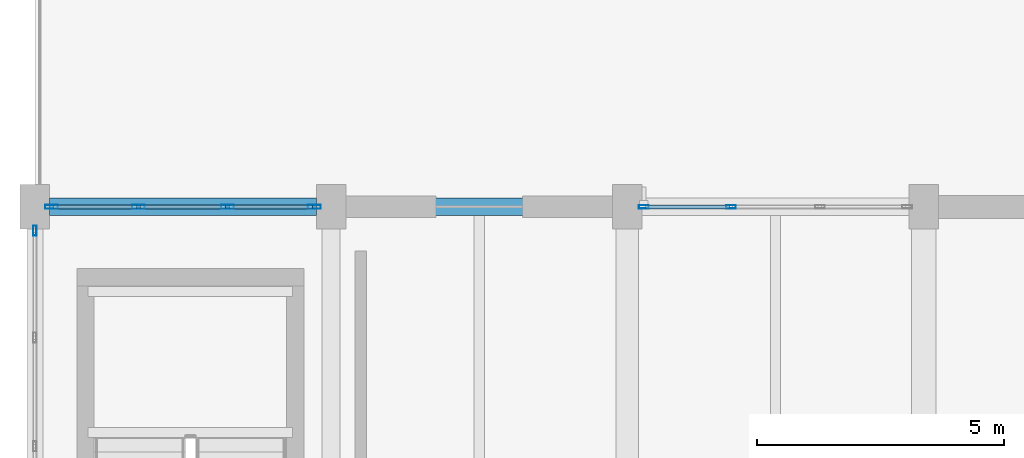
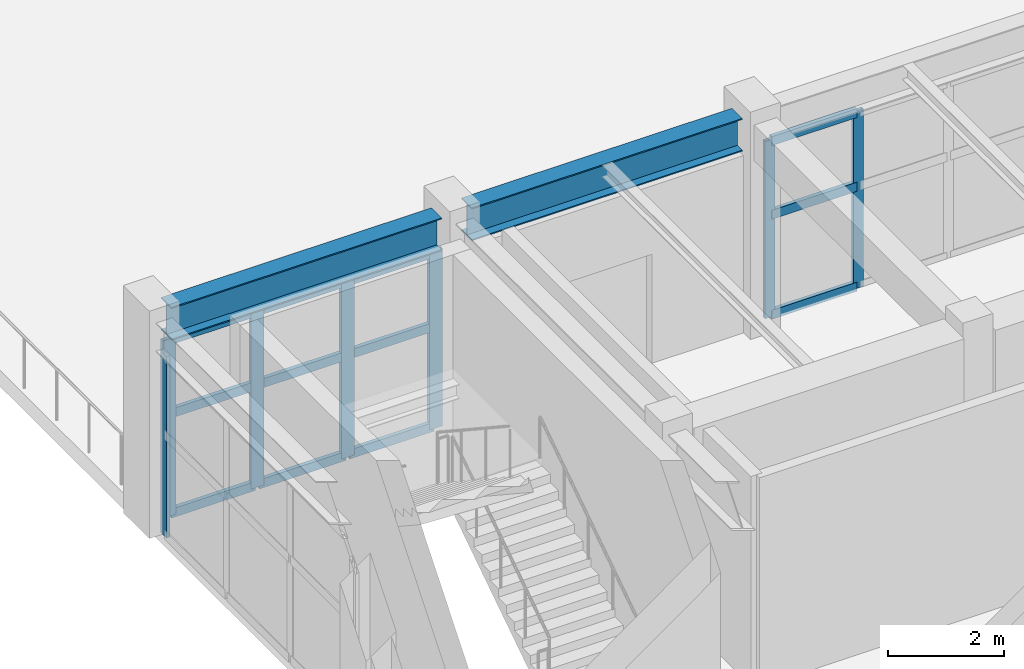
# One storey, part 35 of 80: 19 members, 2 beams, 3 elements without a shape of their own.
"""IFC4 building model written with IfcOpenShell, lengths in metres."""

from ifc_helpers import new_model, si_unit, direction, frame, origin, origin_2d, place, context, subcontext, project, spatial, hollow_rectangle, i_section, extrude, material, layer, layer_set, material_profile, profile_set, type_object, element, aggregate, save


model = new_model("IFC4")

# Units and contexts
model_context = context("Model", 3, precision=1e-05, world=origin(), true_north=direction((0.0, 1.0)))
body_context = subcontext(model_context, "Body", "Model", "MODEL_VIEW")
ifc_project = project(units=[si_unit("LENGTHUNIT", "METRE"), si_unit("AREAUNIT", "SQUARE_METRE"), si_unit("VOLUMEUNIT", "CUBIC_METRE"), si_unit("PLANEANGLEUNIT", "RADIAN"), si_unit("MASSUNIT", "GRAM", prefix="KILO")], contexts=[model_context])

# Site, building, storey
site_placement = place(None, origin())
site = spatial("IfcSite", under=ifc_project, at=site_placement, CompositionType="ELEMENT")
building_placement = place(site_placement, origin())
building = spatial("IfcBuilding", under=site, at=building_placement, Name="Vaelkrest Opera House", CompositionType="ELEMENT")
storey_placement = place(building_placement, frame((0.0, 0.0, 15.0)))
storey = spatial("IfcBuildingStorey", under=building, at=storey_placement, Name="L03", CompositionType="ELEMENT", Elevation=15.0)

# Curtain wall, member
ifc_material_1 = material(Name="Dark bronze anodized aluminium", Category="aluminium")
ifc_layer_1 = layer(ifc_material_1, 0.22998046875)
ifc_layer_set_1 = layer_set([ifc_layer_1], Name="Dark bronze anodized aluminium")
curtain_wall_type_1 = type_object("IfcCurtainWallType", Name="CW06", PredefinedType="NOTDEFINED", material=ifc_layer_set_1)
curtain_wall_1_placement = place(storey_placement, origin())
curtain_wall_1 = element("IfcCurtainWall", 1, at=curtain_wall_1_placement, inside=storey, type_object=curtain_wall_type_1, Name="Curtain wall CW-L03-130", PredefinedType="NOTDEFINED")
ifc_material_profile_1 = material_profile(ifc_material_1, hollow_rectangle(XDim=0.070068359375, YDim=0.199951171875, WallThickness=0.004150390625, at=origin_2d()), Name="CWM70X200")
ifc_profile_set_1 = profile_set([ifc_material_profile_1], Name="Dark bronze anodized aluminium")
member_type_1 = type_object("IfcMemberType", Name="CWM02", PredefinedType="MULLION", material=ifc_profile_set_1)
member_1_placement = place(storey_placement, frame((-75.60009765625, 17.217041015625, 0.0), z_axis=(0.0, 0.0, 1.0), x_axis=(-1.0, 0.0, 0.0)))
member_1 = element("IfcMember", 2, at=member_1_placement, type_object=member_type_1, Name="CW06 mullion 4", PredefinedType="MULLION", context=body_context, shape_type="SweptSolid", body=[
    extrude(hollow_rectangle(XDim=0.070068359375, YDim=0.199951171875, WallThickness=0.004150390625, at=origin_2d()), origin(), (0.0, 0.0, 1.0), 3.8291015625),
])
aggregate(curtain_wall_1, [member_1])

# Curtain wall, members
curtain_wall_2_placement = place(storey_placement, origin())
curtain_wall_2 = element("IfcCurtainWall", 3, at=curtain_wall_2_placement, inside=storey, type_object=curtain_wall_type_1, Name="Curtain wall CW-L03-132", PredefinedType="NOTDEFINED")
member_2_placement = place(storey_placement, frame((-63.26708984375, 17.699951171875, 0.0), z_axis=(0.0, 0.0, 1.0), x_axis=(0.0, 1.0, 0.0)))
member_2 = element("IfcMember", 4, at=member_2_placement, type_object=member_type_1, Name="CW06 mullion 1", PredefinedType="MULLION", context=body_context, shape_type="SweptSolid", body=[
    extrude(hollow_rectangle(XDim=0.070068359375, YDim=0.199951171875, WallThickness=0.004150390625, at=origin_2d()), origin(), (0.0, 0.0, 1.0), 3.7451171875),
])
member_3_placement = place(storey_placement, frame((-61.500732421875, 17.699951171875, 0.0), z_axis=(0.0, 0.0, 1.0), x_axis=(0.0, 1.0, 0.0)))
member_3 = element("IfcMember", 5, at=member_3_placement, type_object=member_type_1, Name="CW06 mullion 2", PredefinedType="MULLION", context=body_context, shape_type="SweptSolid", body=[
    extrude(hollow_rectangle(XDim=0.070068359375, YDim=0.199951171875, WallThickness=0.004150390625, at=origin_2d()), origin(), (0.0, 0.0, 1.0), 3.7451171875),
])

ifc_layer_2 = layer(ifc_material_1, 0.2099609375)
ifc_layer_set_2 = layer_set([ifc_layer_2], Name="Dark bronze anodized aluminium")
curtain_wall_type_2 = type_object("IfcCurtainWallType", Name="CW04", PredefinedType="NOTDEFINED", material=ifc_layer_set_2)
curtain_wall_3_placement = place(storey_placement, origin())
curtain_wall_3 = element("IfcCurtainWall", 6, at=curtain_wall_3_placement, inside=storey, type_object=curtain_wall_type_2, Name="Curtain wall CW-L03-131", PredefinedType="NOTDEFINED")
ifc_material_profile_2 = material_profile(ifc_material_1, hollow_rectangle(XDim=0.080078125, YDim=0.260009765625, WallThickness=0.0048828125, at=origin_2d()), Name="CWM80X260")
ifc_profile_set_2 = profile_set([ifc_material_profile_2], Name="Dark bronze anodized aluminium")
member_type_2 = type_object("IfcMemberType", Name="CWM04", PredefinedType="MULLION", material=ifc_profile_set_2)
member_4_placement = place(storey_placement, frame((-75.261962890625, 17.699951171875, 0.0), z_axis=(0.0, 0.0, 1.0), x_axis=(0.0, 1.0, 0.0)))
member_4 = element("IfcMember", 7, at=member_4_placement, type_object=member_type_2, Name="CW04 mullion 1", PredefinedType="MULLION", context=body_context, shape_type="SweptSolid", body=[
    extrude(hollow_rectangle(XDim=0.080078125, YDim=0.260009765625, WallThickness=0.0048828125, at=origin_2d()), origin(), (0.0, 0.0, 1.0), 3.7451171875),
])
member_5_placement = place(storey_placement, frame((-73.500732421875, 17.699951171875, 0.0), z_axis=(0.0, 0.0, 1.0), x_axis=(0.0, 1.0, 0.0)))
member_5 = element("IfcMember", 8, at=member_5_placement, type_object=member_type_2, Name="CW04 mullion 2", PredefinedType="MULLION", context=body_context, shape_type="SweptSolid", body=[
    extrude(hollow_rectangle(XDim=0.080078125, YDim=0.260009765625, WallThickness=0.0048828125, at=origin_2d()), origin(), (0.0, 0.0, 1.0), 3.7451171875),
])
member_6_placement = place(storey_placement, frame((-71.69921875, 17.699951171875, 0.0), z_axis=(0.0, 0.0, 1.0), x_axis=(0.0, 1.0, 0.0)))
member_6 = element("IfcMember", 9, at=member_6_placement, type_object=member_type_2, Name="CW04 mullion 3", PredefinedType="MULLION", context=body_context, shape_type="SweptSolid", body=[
    extrude(hollow_rectangle(XDim=0.080078125, YDim=0.260009765625, WallThickness=0.0048828125, at=origin_2d()), origin(), (0.0, 0.0, 1.0), 3.7451171875),
])
member_7_placement = place(storey_placement, frame((-69.93798828125, 17.699951171875, 0.0), z_axis=(0.0, 0.0, 1.0), x_axis=(0.0, 1.0, 0.0)))
member_7 = element("IfcMember", 10, at=member_7_placement, type_object=member_type_2, Name="CW04 mullion 4", PredefinedType="MULLION", context=body_context, shape_type="SweptSolid", body=[
    extrude(hollow_rectangle(XDim=0.080078125, YDim=0.260009765625, WallThickness=0.0048828125, at=origin_2d()), origin(), (0.0, 0.0, 1.0), 3.7451171875),
])
ifc_material_profile_3 = material_profile(ifc_material_1, hollow_rectangle(XDim=0.080078125, YDim=0.18994140625, WallThickness=0.0048828125, at=origin_2d()), Name="CWT80X190")
ifc_profile_set_3 = profile_set([ifc_material_profile_3], Name="Dark bronze anodized aluminium")
member_type_3 = type_object("IfcMemberType", Name="CWT04", PredefinedType="USERDEFINED", material=ifc_profile_set_3)
member_8_placement = place(storey_placement, frame((-75.221923828125, 17.699951171875, 0.0400390625), z_axis=(1.0, 0.0, 0.0), x_axis=(0.0, 1.0, 0.0)))
member_8 = element("IfcMember", 11, at=member_8_placement, type_object=member_type_3, Name="CW04 transom 1.1", ObjectType="TRANSOM", PredefinedType="USERDEFINED", context=body_context, shape_type="SweptSolid", body=[
    extrude(hollow_rectangle(XDim=0.080078125, YDim=0.18994140625, WallThickness=0.0048828125, at=origin_2d()), origin(), (0.0, 0.0, 1.0), 1.68115234375),
])
member_9_placement = place(storey_placement, frame((-75.221923828125, 17.699951171875, 2.14990234375), z_axis=(1.0, 0.0, 0.0), x_axis=(0.0, 1.0, 0.0)))
member_9 = element("IfcMember", 12, at=member_9_placement, type_object=member_type_3, Name="CW04 transom 1.2", ObjectType="TRANSOM", PredefinedType="USERDEFINED", context=body_context, shape_type="SweptSolid", body=[
    extrude(hollow_rectangle(XDim=0.080078125, YDim=0.18994140625, WallThickness=0.0048828125, at=origin_2d()), origin(), (0.0, 0.0, 1.0), 1.68115234375),
])
member_10_placement = place(storey_placement, frame((-75.221923828125, 17.699951171875, 3.705078125), z_axis=(1.0, 0.0, 0.0), x_axis=(0.0, 1.0, 0.0)))
member_10 = element("IfcMember", 13, at=member_10_placement, type_object=member_type_3, Name="CW04 transom 1.3", ObjectType="TRANSOM", PredefinedType="USERDEFINED", context=body_context, shape_type="SweptSolid", body=[
    extrude(hollow_rectangle(XDim=0.080078125, YDim=0.18994140625, WallThickness=0.0048828125, at=origin_2d()), origin(), (0.0, 0.0, 1.0), 1.68115234375),
])
member_11_placement = place(storey_placement, frame((-73.460693359375, 17.699951171875, 0.0400390625), z_axis=(1.0, 0.0, 0.0), x_axis=(0.0, 1.0, 0.0)))
member_11 = element("IfcMember", 14, at=member_11_placement, type_object=member_type_3, Name="CW04 transom 2.1", ObjectType="TRANSOM", PredefinedType="USERDEFINED", context=body_context, shape_type="SweptSolid", body=[
    extrude(hollow_rectangle(XDim=0.080078125, YDim=0.18994140625, WallThickness=0.0048828125, at=origin_2d()), origin(), (0.0, 0.0, 1.0), 1.721435546875),
])
member_12_placement = place(storey_placement, frame((-73.460693359375, 17.699951171875, 2.14990234375), z_axis=(1.0, 0.0, 0.0), x_axis=(0.0, 1.0, 0.0)))
member_12 = element("IfcMember", 15, at=member_12_placement, type_object=member_type_3, Name="CW04 transom 2.2", ObjectType="TRANSOM", PredefinedType="USERDEFINED", context=body_context, shape_type="SweptSolid", body=[
    extrude(hollow_rectangle(XDim=0.080078125, YDim=0.18994140625, WallThickness=0.0048828125, at=origin_2d()), origin(), (0.0, 0.0, 1.0), 1.721435546875),
])
member_13_placement = place(storey_placement, frame((-73.460693359375, 17.699951171875, 3.705078125), z_axis=(1.0, 0.0, 0.0), x_axis=(0.0, 1.0, 0.0)))
member_13 = element("IfcMember", 16, at=member_13_placement, type_object=member_type_3, Name="CW04 transom 2.3", ObjectType="TRANSOM", PredefinedType="USERDEFINED", context=body_context, shape_type="SweptSolid", body=[
    extrude(hollow_rectangle(XDim=0.080078125, YDim=0.18994140625, WallThickness=0.0048828125, at=origin_2d()), origin(), (0.0, 0.0, 1.0), 1.721435546875),
])
member_14_placement = place(storey_placement, frame((-71.659423828125, 17.699951171875, 0.0400390625), z_axis=(1.0, 0.0, 0.0), x_axis=(0.0, 1.0, 0.0)))
member_14 = element("IfcMember", 17, at=member_14_placement, type_object=member_type_3, Name="CW04 transom 3.1", ObjectType="TRANSOM", PredefinedType="USERDEFINED", context=body_context, shape_type="SweptSolid", body=[
    extrude(hollow_rectangle(XDim=0.080078125, YDim=0.18994140625, WallThickness=0.0048828125, at=origin_2d()), origin(), (0.0, 0.0, 1.0), 1.681396484375),
])
member_15_placement = place(storey_placement, frame((-71.659423828125, 17.699951171875, 2.14990234375), z_axis=(1.0, 0.0, 0.0), x_axis=(0.0, 1.0, 0.0)))
member_15 = element("IfcMember", 18, at=member_15_placement, type_object=member_type_3, Name="CW04 transom 3.2", ObjectType="TRANSOM", PredefinedType="USERDEFINED", context=body_context, shape_type="SweptSolid", body=[
    extrude(hollow_rectangle(XDim=0.080078125, YDim=0.18994140625, WallThickness=0.0048828125, at=origin_2d()), origin(), (0.0, 0.0, 1.0), 1.681396484375),
])
member_16_placement = place(storey_placement, frame((-71.659423828125, 17.699951171875, 3.705078125), z_axis=(1.0, 0.0, 0.0), x_axis=(0.0, 1.0, 0.0)))
member_16 = element("IfcMember", 19, at=member_16_placement, type_object=member_type_3, Name="CW04 transom 3.3", ObjectType="TRANSOM", PredefinedType="USERDEFINED", context=body_context, shape_type="SweptSolid", body=[
    extrude(hollow_rectangle(XDim=0.080078125, YDim=0.18994140625, WallThickness=0.0048828125, at=origin_2d()), origin(), (0.0, 0.0, 1.0), 1.681396484375),
])
aggregate(curtain_wall_3, [member_4, member_5, member_6, member_7, member_8, member_9, member_10, member_11, member_12, member_13, member_14, member_15, member_16])

# Member
member_17_placement = place(storey_placement, frame((-63.23193359375, 17.699951171875, 0.0400390625), z_axis=(1.0, 0.0, 0.0), x_axis=(0.0, 1.0, 0.0)))
member_17 = element("IfcMember", 20, at=member_17_placement, type_object=member_type_3, Name="CW06 transom 1.1", ObjectType="TRANSOM", PredefinedType="USERDEFINED", context=body_context, shape_type="SweptSolid", body=[
    extrude(hollow_rectangle(XDim=0.080078125, YDim=0.18994140625, WallThickness=0.0048828125, at=origin_2d()), origin(), (0.0, 0.0, 1.0), 1.6962890625),
])

member_18_placement = place(storey_placement, frame((-63.23193359375, 17.699951171875, 2.14990234375), z_axis=(1.0, 0.0, 0.0), x_axis=(0.0, 1.0, 0.0)))
member_18 = element("IfcMember", 21, at=member_18_placement, type_object=member_type_3, Name="CW06 transom 1.2", ObjectType="TRANSOM", PredefinedType="USERDEFINED", context=body_context, shape_type="SweptSolid", body=[
    extrude(hollow_rectangle(XDim=0.080078125, YDim=0.18994140625, WallThickness=0.0048828125, at=origin_2d()), origin(), (0.0, 0.0, 1.0), 1.6962890625),
])

member_19_placement = place(storey_placement, frame((-63.23193359375, 17.699951171875, 3.705078125), z_axis=(1.0, 0.0, 0.0), x_axis=(0.0, 1.0, 0.0)))
member_19 = element("IfcMember", 22, at=member_19_placement, type_object=member_type_3, Name="CW06 transom 1.3", ObjectType="TRANSOM", PredefinedType="USERDEFINED", context=body_context, shape_type="SweptSolid", body=[
    extrude(hollow_rectangle(XDim=0.080078125, YDim=0.18994140625, WallThickness=0.0048828125, at=origin_2d()), origin(), (0.0, 0.0, 1.0), 1.6962890625),
])

aggregate(curtain_wall_2, [member_2, member_3, member_17, member_18, member_19])

# Beams
ifc_material_2 = material(Name="Steel A992 Gr50", Category="steel")
ifc_material_profile_4 = material_profile(ifc_material_2, i_section(OverallWidth=0.35498046875, OverallDepth=0.695068359375, WebThickness=0.015380859375, FlangeThickness=0.02490234375, at=origin_2d()), Name="W27X146")
ifc_profile_set_4 = profile_set([ifc_material_profile_4], Name="Steel A992 Gr50")
beam_type = type_object("IfcBeamType", Name="SP02", PredefinedType="SPANDREL", material=ifc_profile_set_4)
for number, where, z_axis, x_axis, name in (
    (23, (-75.300048828125, 17.699951171875, 4.157470703125), (1.0, 0.0, 0.0), (0.0, 1.0, 0.0), "Beam BM-V3-L03-1756"),
    (24, (-69.300048828125, 17.699951171875, 4.157470703125), (1.0, 0.0, 0.0), (0.0, 1.0, 0.0), "Beam BM-V3-L03-1757"),
):
    element("IfcBeam", number, at=place(storey_placement, frame(where, z_axis=z_axis, x_axis=x_axis)), inside=storey, type_object=beam_type, Name=name, PredefinedType="SPANDREL", context=body_context, shape_type="SweptSolid", body=[
        extrude(i_section(OverallWidth=0.35498046875, OverallDepth=0.695068359375, WebThickness=0.015380859375, FlangeThickness=0.02490234375, at=origin_2d()), origin(), (0.0, 0.0, 1.0), 5.400146484375),
    ])

save(model, "model.ifc")
